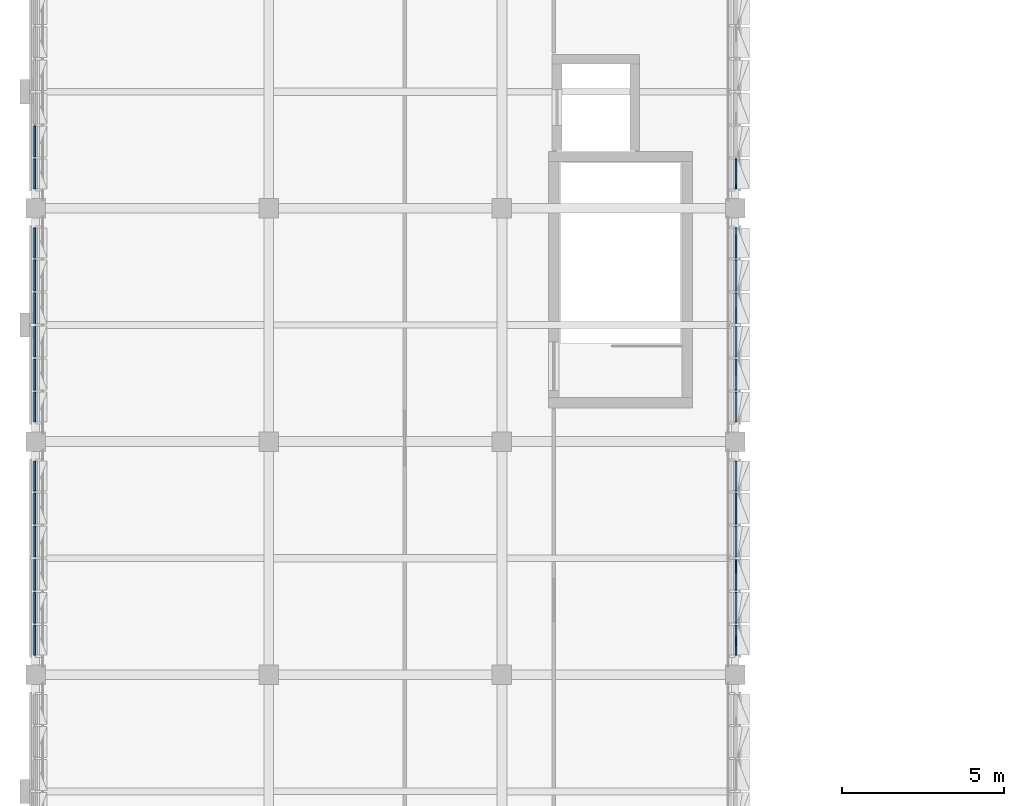
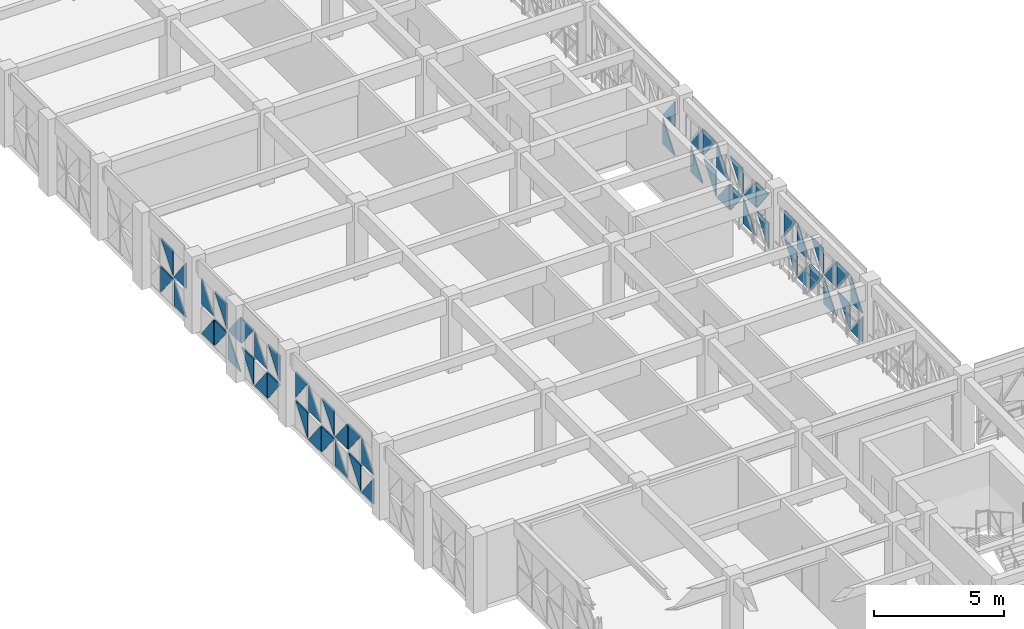
# One storey, part 33 of 74: 54 plates, 6 elements without a shape of their own.
"""IFC4 building model written with IfcOpenShell, lengths in metres."""

import ifcopenshell
import ifcopenshell.guid

model = None  # the IFC model being written
_history = None  # IfcOwnerHistory: only IFC2X3 demands one
_inside = {}  # id of a spatial element -> (the spatial element, [elements in it])
_under = {}  # id of a project, library or spatial element -> (it, [spatial elements below it])
_declared = {}  # id of a project -> (the project, [libraries it declares])
_typed = {}  # id of a type object -> (the type object, [elements of that type])
_made_of = {}  # id of a material, layer set ... -> (it, [elements and type objects made of it])


def new_model(schema):
    """Start an empty IFC model of exactly this schema.

    Asked for "IFC4X3", IfcOpenShell would pick the latest addendum, in which some entities
    have other attributes; the version numbers below select the first issue.
    IFC2X3 requires an IfcOwnerHistory on every rooted entity: one is made here for all.
    """
    global model, _history
    if schema == "IFC4X3":
        model = ifcopenshell.file(schema_version=(4, 3, 0, 0))
    else:
        model = ifcopenshell.file(schema=schema)
    _inside.clear()
    _under.clear()
    _declared.clear()
    _typed.clear()
    _made_of.clear()
    _history = None
    if model.schema == "IFC2X3":
        org = make("IfcOrganization", Name="unknown")
        user = make(
            "IfcPersonAndOrganization",
            ThePerson=make("IfcPerson", FamilyName="unknown"),
            TheOrganization=org,
        )
        app = make(
            "IfcApplication",
            ApplicationDeveloper=org,
            Version="unknown",
            ApplicationFullName="unknown",
            ApplicationIdentifier="unknown",
        )
        _history = make(
            "IfcOwnerHistory",
            OwningUser=user,
            OwningApplication=app,
            ChangeAction="ADDED",
            CreationDate=0,
        )
    return model


def make(cls, **values):
    """One entity of the class cls with the attributes given. An attribute that is None is left unset."""
    return model.create_entity(
        cls, **{name: value for name, value in values.items() if value is not None}
    )


def rooted(cls, **values):
    """An entity with a GlobalId (a new one), such as an element, a storey or a relation."""
    return make(cls, GlobalId=ifcopenshell.guid.new(), OwnerHistory=_history, **values)


def si_unit(unit_type, name, prefix=None):
    """IfcSIUnit, for example si_unit("LENGTHUNIT", "METRE", prefix="MILLI")."""
    return make("IfcSIUnit", UnitType=unit_type, Prefix=prefix, Name=name)


def assignment(units):
    """IfcUnitAssignment: the units of a project."""
    return None if units is None else make("IfcUnitAssignment", Units=units)


def point(xyz):
    """IfcCartesianPoint."""
    return None if xyz is None else make("IfcCartesianPoint", Coordinates=xyz)


def direction(xyz):
    """IfcDirection."""
    return None if xyz is None else make("IfcDirection", DirectionRatios=xyz)


def frame(location, z_axis=None, x_axis=None):
    """IfcAxis2Placement3D, a coordinate frame: its origin and axes. An axis left out is left unset."""
    return make(
        "IfcAxis2Placement3D",
        Location=point(location),
        Axis=direction(z_axis),
        RefDirection=direction(x_axis),
    )


def origin():
    """The frame at (0, 0, 0) with its axes left unset."""
    return frame((0.0, 0.0, 0.0))


def place(relative_to, where):
    """IfcLocalPlacement: puts the frame where relative to a parent placement (None: the world)."""
    return make(
        "IfcLocalPlacement", PlacementRelTo=relative_to, RelativePlacement=where
    )


def context(
    kind, dimensions, precision=None, world=None, true_north=None, identifier=None
):
    """IfcGeometricRepresentationContext, for example the 3D "Model" context."""
    return make(
        "IfcGeometricRepresentationContext",
        ContextIdentifier=identifier,
        ContextType=kind,
        CoordinateSpaceDimension=dimensions,
        Precision=precision,
        WorldCoordinateSystem=world,
        TrueNorth=true_north,
    )


def subcontext(parent, identifier, kind, view, scale=None):
    """IfcGeometricRepresentationSubContext, for example "Body" below "Model"."""
    return make(
        "IfcGeometricRepresentationSubContext",
        ContextIdentifier=identifier,
        ContextType=kind,
        ParentContext=parent,
        TargetScale=scale,
        TargetView=view,
    )


def project(units=None, contexts=None):
    """IfcProject with its units and contexts."""
    return rooted(
        "IfcProject",
        Name="project",
        RepresentationContexts=contexts,
        UnitsInContext=assignment(units),
    )


def spatial(cls, under=None, at=None, **own):
    """A site, building, storey or space (cls), placed at a placement, below another one or the project."""
    s = rooted(cls, ObjectPlacement=at, **own)
    if under is not None:
        _under.setdefault(under.id(), (under, []))[1].append(s)
    return s


def polyline(points):
    """IfcPolyline through the points."""
    return make("IfcPolyline", Points=[point(p) for p in points])


def outline(outer, holes=None, kind="AREA"):
    """IfcArbitraryClosedProfileDef: a profile drawn as a closed curve; with holes, ...WithVoids."""
    if holes is None:
        return make("IfcArbitraryClosedProfileDef", ProfileType=kind, OuterCurve=outer)
    return make(
        "IfcArbitraryProfileDefWithVoids",
        ProfileType=kind,
        OuterCurve=outer,
        InnerCurves=holes,
    )


def extrude(swept, where, along, depth):
    """IfcExtrudedAreaSolid: the profile swept, set in the frame where, extruded along a direction by depth."""
    return make(
        "IfcExtrudedAreaSolid",
        SweptArea=swept,
        Position=where,
        ExtrudedDirection=direction(along),
        Depth=depth,
    )


def shape(context_of_items, identifier, shape_type, items):
    """IfcShapeRepresentation: the items that make up one representation, for example the "Body"."""
    return make(
        "IfcShapeRepresentation",
        ContextOfItems=context_of_items,
        RepresentationIdentifier=identifier,
        RepresentationType=shape_type,
        Items=items,
    )


def material(Name=None, Category=None):
    """IfcMaterial."""
    return make("IfcMaterial", Name=Name, Category=Category)


def layer(
    of_material, thickness, ventilated=None, Name=None, Category=None, Priority=None
):
    """IfcMaterialLayer: one layer of a wall or slab, of a material (None: an air gap)."""
    return make(
        "IfcMaterialLayer",
        Material=of_material,
        LayerThickness=thickness,
        IsVentilated=ventilated,
        Name=Name,
        Category=Category,
        Priority=Priority,
    )


def layer_set(layers, Name=None):
    """IfcMaterialLayerSet."""
    return make("IfcMaterialLayerSet", MaterialLayers=layers, LayerSetName=Name)


def made_of(thing, what):
    """Note that an element or type object is made of a material, layer set ...; save() writes the relation."""
    if what is not None:
        _made_of.setdefault(what.id(), (what, []))[1].append(thing)
    return thing


def type_object(cls, material=None, **own):
    """A type object (cls), such as IfcWallType, which elements share."""
    return made_of(rooted(cls, **own), material)


def element(
    cls,
    number,
    at=None,
    inside=None,
    cuts=None,
    type_object=None,
    material=None,
    context=None,
    identifier="Body",
    shape_type=None,
    held_by="IfcProductDefinitionShape",
    body=None,
    shapes=None,
    **own,
):
    """One element of the class cls, such as IfcWall. Its Tag is "e" and its number.

    at: its placement. inside: the storey or other place that contains it. cuts: it is an
    opening in that element (IfcRelVoidsElement). A single representation is given by context,
    identifier, shape_type and body (its items); several are given by shapes. held_by: the class
    of the entity that holds the representations. save() writes the other relations.
    """
    e = rooted(cls, Tag="e%d" % number, ObjectPlacement=at, **own)
    if body is not None:
        shapes = [shape(context, identifier, shape_type, body)]
    if shapes is not None:
        e.Representation = make(held_by, Representations=shapes)
    if inside is not None:
        _inside.setdefault(inside.id(), (inside, []))[1].append(e)
    if cuts is not None:
        rooted(
            "IfcRelVoidsElement", RelatingBuildingElement=cuts, RelatedOpeningElement=e
        )
    if type_object is not None:
        _typed.setdefault(type_object.id(), (type_object, []))[1].append(e)
    return made_of(e, material)


def aggregate(whole, parts):
    """IfcRelAggregates: a whole, such as a stair, and the parts it consists of."""
    return rooted("IfcRelAggregates", RelatingObject=whole, RelatedObjects=parts)


def save(model, path):
    """Write the relations noted so far, then the file.

    IfcRelAggregates (storeys below a building ...), IfcRelContainedInSpatialStructure (elements
    in a storey), IfcRelDefinesByType, IfcRelAssociatesMaterial and IfcRelDeclares: one each for
    every whole, place, type object, material and project.
    """
    for whole, parts in _under.values():
        aggregate(whole, parts)
    for where, things in _inside.values():
        rooted(
            "IfcRelContainedInSpatialStructure",
            RelatedElements=things,
            RelatingStructure=where,
        )
    for kind, things in _typed.values():
        rooted("IfcRelDefinesByType", RelatedObjects=things, RelatingType=kind)
    for what, things in _made_of.values():
        rooted("IfcRelAssociatesMaterial", RelatedObjects=things, RelatingMaterial=what)
    for by, libraries in _declared.values():
        rooted("IfcRelDeclares", RelatingContext=by, RelatedDefinitions=libraries)
    model.write(path)


model = new_model("IFC4")

# Units and contexts
model_context = context("Model", 3, precision=1e-05, world=origin(), true_north=direction((0.0, 1.0)))
body_context = subcontext(model_context, "Body", "Model", "MODEL_VIEW")
ifc_project = project(units=[si_unit("LENGTHUNIT", "METRE"), si_unit("AREAUNIT", "SQUARE_METRE"), si_unit("VOLUMEUNIT", "CUBIC_METRE"), si_unit("PLANEANGLEUNIT", "RADIAN"), si_unit("MASSUNIT", "GRAM", prefix="KILO")], contexts=[model_context])

# Site, building, storey
site_placement = place(None, origin())
site = spatial("IfcSite", under=ifc_project, at=site_placement, CompositionType="ELEMENT")
building_placement = place(site_placement, origin())
building = spatial("IfcBuilding", under=site, at=building_placement, Name="Alvorim Cloister Faculty of Sciences", CompositionType="ELEMENT")
storey_placement = place(building_placement, frame((0.0, 0.0, 15.75)))
storey = spatial("IfcBuildingStorey", under=building, at=storey_placement, Name="L04", CompositionType="ELEMENT", Elevation=15.75)

# Curtain wall, plates
ifc_material_1 = material(Name="Aluminium and Low-E Glass Curtain Wall", Category="aluminium")
curtain_wall_type = type_object("IfcCurtainWallType", Name="CW-TRI-6120x2850", PredefinedType="USERDEFINED", material=ifc_material_1)
curtain_wall_1_placement = place(storey_placement, origin())
curtain_wall_1 = element("IfcCurtainWall", 1, at=curtain_wall_1_placement, inside=storey, type_object=curtain_wall_type, Name="L04 Diagonal Cassette Curtain Wall CW-0171", ObjectType="UNITISED CURTAIN WALL", PredefinedType="USERDEFINED")
ifc_material_2 = material(Name="Double Low-E Laminated Glass", Category="glass")
ifc_layer = layer(ifc_material_2, 0.0400390625)
ifc_layer_set = layer_set([ifc_layer], Name="Double Low-E Laminated Glass")
plate_type = type_object("IfcPlateType", Name="PN-GLZ-40", PredefinedType="CURTAIN_PANEL", material=ifc_layer_set)
plate_1_placement = place(storey_placement, frame((-0.02490234375, 64.205078125, 0.139892578125), z_axis=(0.0, 0.0, 1.0), x_axis=(0.0, 1.0, 0.0)))
plate_1 = element("IfcPlate", 2, at=plate_1_placement, type_object=plate_type, Name="Diagonal Glazed Triangle TRI-BL", PredefinedType="CURTAIN_PANEL", context=body_context, shape_type="SweptSolid", body=[
    extrude(outline(polyline([(0.0, 0.0), (0.920654296875, 0.0), (0.0, 1.213134765625), (0.0, 0.0)])), frame((0.0, 0.02490234375, 0.0), z_axis=(0.0, -1.0, 0.0), x_axis=(1.0, 0.0, 0.0)), (0.0, 0.0, 1.0), 0.050048828125),
])
plate_2_placement = place(storey_placement, frame((-0.02490234375, 64.205078125, 1.4951171875), z_axis=(0.0, 0.0, 1.0), x_axis=(0.0, 1.0, 0.0)))
plate_2 = element("IfcPlate", 3, at=plate_2_placement, type_object=plate_type, Name="Diagonal Glazed Triangle TRI-BR", PredefinedType="CURTAIN_PANEL", context=body_context, shape_type="SweptSolid", body=[
    extrude(outline(polyline([(0.001953125, 0.0), (0.922607421875, 0.0), (0.922607421875, 1.212890625), (0.001953125, 0.0)])), frame((0.0, 0.02490234375, 0.0), z_axis=(0.0, -1.0, 0.0), x_axis=(1.0, 0.0, 0.0)), (0.0, 0.0, 1.0), 0.050048828125),
])
plate_3_placement = place(storey_placement, frame((-0.02490234375, 65.1923828125, 0.139892578125), z_axis=(0.0, 0.0, 1.0), x_axis=(0.0, 1.0, 0.0)))
plate_3 = element("IfcPlate", 4, at=plate_3_placement, type_object=plate_type, Name="Diagonal Glazed Triangle TRI-TL", PredefinedType="CURTAIN_PANEL", context=body_context, shape_type="SweptSolid", body=[
    extrude(outline(polyline([(0.953125, 1.215087890625), (0.0, 1.215087890625), (0.0, 0.001953125), (0.953125, 1.215087890625)])), frame((0.0, 0.02490234375, 0.0), z_axis=(0.0, -1.0, 0.0), x_axis=(1.0, 0.0, 0.0)), (0.0, 0.0, 1.0), 0.050048828125),
])
plate_4_placement = place(storey_placement, frame((-0.02490234375, 65.1923828125, 1.4951171875), z_axis=(0.0, 0.0, 1.0), x_axis=(0.0, 1.0, 0.0)))
plate_4 = element("IfcPlate", 5, at=plate_4_placement, type_object=plate_type, Name="Diagonal Glazed Triangle TRI-TR", PredefinedType="CURTAIN_PANEL", context=body_context, shape_type="SweptSolid", body=[
    extrude(outline(polyline([(0.955078125, 0.001953125), (0.955078125, 1.21484375), (0.001953125, 1.21484375), (0.955078125, 0.001953125)])), frame((0.0, 0.02490234375, 0.0), z_axis=(0.0, -1.0, 0.0), x_axis=(1.0, 0.0, 0.0)), (0.0, 0.0, 1.0), 0.050048828125),
])
plate_5_placement = place(storey_placement, frame((-0.02490234375, 66.21240234375, 0.139892578125), z_axis=(0.0, 0.0, 1.0), x_axis=(0.0, 1.0, 0.0)))
plate_5 = element("IfcPlate", 6, at=plate_5_placement, type_object=plate_type, Name="Diagonal Glazed Triangle TRI-BR", PredefinedType="CURTAIN_PANEL", context=body_context, shape_type="SweptSolid", body=[
    extrude(outline(polyline([(0.001953125, 0.0), (0.955078125, 0.0), (0.955078125, 1.213134765625), (0.001953125, 0.0)])), frame((0.0, 0.02490234375, 0.0), z_axis=(0.0, -1.0, 0.0), x_axis=(1.0, 0.0, 0.0)), (0.0, 0.0, 1.0), 0.050048828125),
])
plate_6_placement = place(storey_placement, frame((-0.02490234375, 66.21240234375, 1.4951171875), z_axis=(0.0, 0.0, 1.0), x_axis=(0.0, 1.0, 0.0)))
plate_6 = element("IfcPlate", 7, at=plate_6_placement, type_object=plate_type, Name="Diagonal Glazed Triangle TRI-BL", PredefinedType="CURTAIN_PANEL", context=body_context, shape_type="SweptSolid", body=[
    extrude(outline(polyline([(0.0, 0.0), (0.953125, 0.0), (0.0, 1.212890625), (0.0, 0.0)])), frame((0.0, 0.02490234375, 0.0), z_axis=(0.0, -1.0, 0.0), x_axis=(1.0, 0.0, 0.0)), (0.0, 0.0, 1.0), 0.050048828125),
])
plate_7_placement = place(storey_placement, frame((-0.02490234375, 67.232421875, 0.139892578125), z_axis=(0.0, 0.0, 1.0), x_axis=(0.0, 1.0, 0.0)))
plate_7 = element("IfcPlate", 8, at=plate_7_placement, type_object=plate_type, Name="Diagonal Glazed Triangle TRI-TR", PredefinedType="CURTAIN_PANEL", context=body_context, shape_type="SweptSolid", body=[
    extrude(outline(polyline([(0.955078125, 0.001953125), (0.955078125, 1.215087890625), (0.001953125, 1.215087890625), (0.955078125, 0.001953125)])), frame((0.0, 0.02490234375, 0.0), z_axis=(0.0, -1.0, 0.0), x_axis=(1.0, 0.0, 0.0)), (0.0, 0.0, 1.0), 0.050048828125),
])
plate_8_placement = place(storey_placement, frame((-0.02490234375, 67.232421875, 1.4951171875), z_axis=(0.0, 0.0, 1.0), x_axis=(0.0, 1.0, 0.0)))
plate_8 = element("IfcPlate", 9, at=plate_8_placement, type_object=plate_type, Name="Diagonal Glazed Triangle TRI-TL", PredefinedType="CURTAIN_PANEL", context=body_context, shape_type="SweptSolid", body=[
    extrude(outline(polyline([(0.953125, 1.21484375), (0.0, 1.21484375), (0.0, 0.001953125), (0.953125, 1.21484375)])), frame((0.0, 0.02490234375, 0.0), z_axis=(0.0, -1.0, 0.0), x_axis=(1.0, 0.0, 0.0)), (0.0, 0.0, 1.0), 0.050048828125),
])
plate_9_placement = place(storey_placement, frame((-0.02490234375, 68.25244140625, 0.139892578125), z_axis=(0.0, 0.0, 1.0), x_axis=(0.0, 1.0, 0.0)))
plate_9 = element("IfcPlate", 10, at=plate_9_placement, type_object=plate_type, Name="Diagonal Glazed Triangle TRI-BL", PredefinedType="CURTAIN_PANEL", context=body_context, shape_type="SweptSolid", body=[
    extrude(outline(polyline([(0.0, 0.0), (0.953125, 0.0), (0.0, 1.213134765625), (0.0, 0.0)])), frame((0.0, 0.02490234375, 0.0), z_axis=(0.0, -1.0, 0.0), x_axis=(1.0, 0.0, 0.0)), (0.0, 0.0, 1.0), 0.050048828125),
])
plate_10_placement = place(storey_placement, frame((-0.02490234375, 68.25244140625, 1.4951171875), z_axis=(0.0, 0.0, 1.0), x_axis=(0.0, 1.0, 0.0)))
plate_10 = element("IfcPlate", 11, at=plate_10_placement, type_object=plate_type, Name="Diagonal Glazed Triangle TRI-BR", PredefinedType="CURTAIN_PANEL", context=body_context, shape_type="SweptSolid", body=[
    extrude(outline(polyline([(0.001953125, 0.0), (0.955078125, 0.0), (0.955078125, 1.212890625), (0.001953125, 0.0)])), frame((0.0, 0.02490234375, 0.0), z_axis=(0.0, -1.0, 0.0), x_axis=(1.0, 0.0, 0.0)), (0.0, 0.0, 1.0), 0.050048828125),
])
plate_11_placement = place(storey_placement, frame((-0.02490234375, 69.2724609375, 0.139892578125), z_axis=(0.0, 0.0, 1.0), x_axis=(0.0, 1.0, 0.0)))
plate_11 = element("IfcPlate", 12, at=plate_11_placement, type_object=plate_type, Name="Diagonal Glazed Triangle TRI-TL", PredefinedType="CURTAIN_PANEL", context=body_context, shape_type="SweptSolid", body=[
    extrude(outline(polyline([(0.920654296875, 1.215087890625), (0.0, 1.215087890625), (0.0, 0.001953125), (0.920654296875, 1.215087890625)])), frame((0.0, 0.02490234375, 0.0), z_axis=(0.0, -1.0, 0.0), x_axis=(1.0, 0.0, 0.0)), (0.0, 0.0, 1.0), 0.050048828125),
])
plate_12_placement = place(storey_placement, frame((-0.02490234375, 69.2724609375, 1.4951171875), z_axis=(0.0, 0.0, 1.0), x_axis=(0.0, 1.0, 0.0)))
plate_12 = element("IfcPlate", 13, at=plate_12_placement, type_object=plate_type, Name="Diagonal Glazed Triangle TRI-TR", PredefinedType="CURTAIN_PANEL", context=body_context, shape_type="SweptSolid", body=[
    extrude(outline(polyline([(0.922607421875, 0.001953125), (0.922607421875, 1.21484375), (0.001953125, 1.21484375), (0.922607421875, 0.001953125)])), frame((0.0, 0.02490234375, 0.0), z_axis=(0.0, -1.0, 0.0), x_axis=(1.0, 0.0, 0.0)), (0.0, 0.0, 1.0), 0.050048828125),
])
aggregate(curtain_wall_1, [plate_1, plate_2, plate_3, plate_4, plate_5, plate_6, plate_7, plate_8, plate_9, plate_10, plate_11, plate_12])

curtain_wall_2_placement = place(storey_placement, origin())
curtain_wall_2 = element("IfcCurtainWall", 14, at=curtain_wall_2_placement, inside=storey, type_object=curtain_wall_type, Name="L04 Diagonal Cassette Curtain Wall CW-0172", ObjectType="UNITISED CURTAIN WALL", PredefinedType="USERDEFINED")
plate_13_placement = place(storey_placement, frame((-0.02490234375, 71.405029296875, 0.139892578125), z_axis=(0.0, 0.0, 1.0), x_axis=(0.0, 1.0, 0.0)))
plate_13 = element("IfcPlate", 15, at=plate_13_placement, type_object=plate_type, Name="Diagonal Glazed Triangle TRI-TR", PredefinedType="CURTAIN_PANEL", context=body_context, shape_type="SweptSolid", body=[
    extrude(outline(polyline([(0.922607421875, 0.001953125), (0.922607421875, 1.215087890625), (0.001953125, 1.215087890625), (0.922607421875, 0.001953125)])), frame((0.0, 0.02490234375, 0.0), z_axis=(0.0, -1.0, 0.0), x_axis=(1.0, 0.0, 0.0)), (0.0, 0.0, 1.0), 0.050048828125),
])
plate_14_placement = place(storey_placement, frame((-0.02490234375, 71.405029296875, 1.4951171875), z_axis=(0.0, 0.0, 1.0), x_axis=(0.0, 1.0, 0.0)))
plate_14 = element("IfcPlate", 16, at=plate_14_placement, type_object=plate_type, Name="Diagonal Glazed Triangle TRI-TL", PredefinedType="CURTAIN_PANEL", context=body_context, shape_type="SweptSolid", body=[
    extrude(outline(polyline([(0.920654296875, 1.21484375), (0.0, 1.21484375), (0.0, 0.001953125), (0.920654296875, 1.21484375)])), frame((0.0, 0.02490234375, 0.0), z_axis=(0.0, -1.0, 0.0), x_axis=(1.0, 0.0, 0.0)), (0.0, 0.0, 1.0), 0.050048828125),
])
plate_15_placement = place(storey_placement, frame((-0.02490234375, 72.392578125, 0.139892578125), z_axis=(0.0, 0.0, 1.0), x_axis=(0.0, 1.0, 0.0)))
plate_15 = element("IfcPlate", 17, at=plate_15_placement, type_object=plate_type, Name="Diagonal Glazed Triangle TRI-BL", PredefinedType="CURTAIN_PANEL", context=body_context, shape_type="SweptSolid", body=[
    extrude(outline(polyline([(0.0, 0.0), (0.953125, 0.0), (0.0, 1.213134765625), (0.0, 0.0)])), frame((0.0, 0.02490234375, 0.0), z_axis=(0.0, -1.0, 0.0), x_axis=(1.0, 0.0, 0.0)), (0.0, 0.0, 1.0), 0.050048828125),
])
plate_16_placement = place(storey_placement, frame((-0.02490234375, 72.392578125, 1.4951171875), z_axis=(0.0, 0.0, 1.0), x_axis=(0.0, 1.0, 0.0)))
plate_16 = element("IfcPlate", 18, at=plate_16_placement, type_object=plate_type, Name="Diagonal Glazed Triangle TRI-BR", PredefinedType="CURTAIN_PANEL", context=body_context, shape_type="SweptSolid", body=[
    extrude(outline(polyline([(0.001953125, 0.0), (0.955078125, 0.0), (0.955078125, 1.212890625), (0.001953125, 0.0)])), frame((0.0, 0.02490234375, 0.0), z_axis=(0.0, -1.0, 0.0), x_axis=(1.0, 0.0, 0.0)), (0.0, 0.0, 1.0), 0.050048828125),
])
plate_17_placement = place(storey_placement, frame((-0.02490234375, 73.41259765625, 0.139892578125), z_axis=(0.0, 0.0, 1.0), x_axis=(0.0, 1.0, 0.0)))
plate_17 = element("IfcPlate", 19, at=plate_17_placement, type_object=plate_type, Name="Diagonal Glazed Triangle TRI-TL", PredefinedType="CURTAIN_PANEL", context=body_context, shape_type="SweptSolid", body=[
    extrude(outline(polyline([(0.953125, 1.215087890625), (0.0, 1.215087890625), (0.0, 0.001953125), (0.953125, 1.215087890625)])), frame((0.0, 0.02490234375, 0.0), z_axis=(0.0, -1.0, 0.0), x_axis=(1.0, 0.0, 0.0)), (0.0, 0.0, 1.0), 0.050048828125),
])
plate_18_placement = place(storey_placement, frame((-0.02490234375, 73.41259765625, 1.4951171875), z_axis=(0.0, 0.0, 1.0), x_axis=(0.0, 1.0, 0.0)))
plate_18 = element("IfcPlate", 20, at=plate_18_placement, type_object=plate_type, Name="Diagonal Glazed Triangle TRI-TR", PredefinedType="CURTAIN_PANEL", context=body_context, shape_type="SweptSolid", body=[
    extrude(outline(polyline([(0.955078125, 0.001953125), (0.955078125, 1.21484375), (0.001953125, 1.21484375), (0.955078125, 0.001953125)])), frame((0.0, 0.02490234375, 0.0), z_axis=(0.0, -1.0, 0.0), x_axis=(1.0, 0.0, 0.0)), (0.0, 0.0, 1.0), 0.050048828125),
])
plate_19_placement = place(storey_placement, frame((-0.02490234375, 74.4326171875, 0.139892578125), z_axis=(0.0, 0.0, 1.0), x_axis=(0.0, 1.0, 0.0)))
plate_19 = element("IfcPlate", 21, at=plate_19_placement, type_object=plate_type, Name="Diagonal Glazed Triangle TRI-BR", PredefinedType="CURTAIN_PANEL", context=body_context, shape_type="SweptSolid", body=[
    extrude(outline(polyline([(0.001953125, 0.0), (0.955078125, 0.0), (0.955078125, 1.213134765625), (0.001953125, 0.0)])), frame((0.0, 0.02490234375, 0.0), z_axis=(0.0, -1.0, 0.0), x_axis=(1.0, 0.0, 0.0)), (0.0, 0.0, 1.0), 0.050048828125),
])
plate_20_placement = place(storey_placement, frame((-0.02490234375, 74.4326171875, 1.4951171875), z_axis=(0.0, 0.0, 1.0), x_axis=(0.0, 1.0, 0.0)))
plate_20 = element("IfcPlate", 22, at=plate_20_placement, type_object=plate_type, Name="Diagonal Glazed Triangle TRI-BL", PredefinedType="CURTAIN_PANEL", context=body_context, shape_type="SweptSolid", body=[
    extrude(outline(polyline([(0.0, 0.0), (0.953125, 0.0), (0.0, 1.212890625), (0.0, 0.0)])), frame((0.0, 0.02490234375, 0.0), z_axis=(0.0, -1.0, 0.0), x_axis=(1.0, 0.0, 0.0)), (0.0, 0.0, 1.0), 0.050048828125),
])
plate_21_placement = place(storey_placement, frame((-0.02490234375, 75.452392578125, 0.139892578125), z_axis=(0.0, 0.0, 1.0), x_axis=(0.0, 1.0, 0.0)))
plate_21 = element("IfcPlate", 23, at=plate_21_placement, type_object=plate_type, Name="Diagonal Glazed Triangle TRI-TR", PredefinedType="CURTAIN_PANEL", context=body_context, shape_type="SweptSolid", body=[
    extrude(outline(polyline([(0.955078125, 0.001953125), (0.955078125, 1.215087890625), (0.001953125, 1.215087890625), (0.955078125, 0.001953125)])), frame((0.0, 0.02490234375, 0.0), z_axis=(0.0, -1.0, 0.0), x_axis=(1.0, 0.0, 0.0)), (0.0, 0.0, 1.0), 0.050048828125),
])
plate_22_placement = place(storey_placement, frame((-0.02490234375, 75.452392578125, 1.4951171875), z_axis=(0.0, 0.0, 1.0), x_axis=(0.0, 1.0, 0.0)))
plate_22 = element("IfcPlate", 24, at=plate_22_placement, type_object=plate_type, Name="Diagonal Glazed Triangle TRI-TL", PredefinedType="CURTAIN_PANEL", context=body_context, shape_type="SweptSolid", body=[
    extrude(outline(polyline([(0.953125, 1.21484375), (0.0, 1.21484375), (0.0, 0.001953125), (0.953125, 1.21484375)])), frame((0.0, 0.02490234375, 0.0), z_axis=(0.0, -1.0, 0.0), x_axis=(1.0, 0.0, 0.0)), (0.0, 0.0, 1.0), 0.050048828125),
])
plate_23_placement = place(storey_placement, frame((-0.02490234375, 76.472412109375, 0.139892578125), z_axis=(0.0, 0.0, 1.0), x_axis=(0.0, 1.0, 0.0)))
plate_23 = element("IfcPlate", 25, at=plate_23_placement, type_object=plate_type, Name="Diagonal Glazed Triangle TRI-BL", PredefinedType="CURTAIN_PANEL", context=body_context, shape_type="SweptSolid", body=[
    extrude(outline(polyline([(0.0, 0.0), (0.920654296875, 0.0), (0.0, 1.213134765625), (0.0, 0.0)])), frame((0.0, 0.02490234375, 0.0), z_axis=(0.0, -1.0, 0.0), x_axis=(1.0, 0.0, 0.0)), (0.0, 0.0, 1.0), 0.050048828125),
])
plate_24_placement = place(storey_placement, frame((-0.02490234375, 76.472412109375, 1.4951171875), z_axis=(0.0, 0.0, 1.0), x_axis=(0.0, 1.0, 0.0)))
plate_24 = element("IfcPlate", 26, at=plate_24_placement, type_object=plate_type, Name="Diagonal Glazed Triangle TRI-BR", PredefinedType="CURTAIN_PANEL", context=body_context, shape_type="SweptSolid", body=[
    extrude(outline(polyline([(0.001953125, 0.0), (0.922607421875, 0.0), (0.922607421875, 1.212890625), (0.001953125, 0.0)])), frame((0.0, 0.02490234375, 0.0), z_axis=(0.0, -1.0, 0.0), x_axis=(1.0, 0.0, 0.0)), (0.0, 0.0, 1.0), 0.050048828125),
])
aggregate(curtain_wall_2, [plate_13, plate_14, plate_15, plate_16, plate_17, plate_18, plate_19, plate_20, plate_21, plate_22, plate_23, plate_24])

curtain_wall_3_placement = place(storey_placement, origin())
curtain_wall_3 = element("IfcCurtainWall", 27, at=curtain_wall_3_placement, inside=storey, type_object=curtain_wall_type, Name="L04 Diagonal Cassette Curtain Wall CW-0173", ObjectType="UNITISED CURTAIN WALL", PredefinedType="USERDEFINED")
plate_25_placement = place(storey_placement, frame((-0.02490234375, 78.60498046875, 0.139892578125), z_axis=(0.0, 0.0, 1.0), x_axis=(0.0, 1.0, 0.0)))
plate_25 = element("IfcPlate", 28, at=plate_25_placement, type_object=plate_type, Name="Diagonal Glazed Triangle TRI-BR", PredefinedType="CURTAIN_PANEL", context=body_context, shape_type="SweptSolid", body=[
    extrude(outline(polyline([(0.001953125, 0.0), (0.922607421875, 0.0), (0.922607421875, 1.213134765625), (0.001953125, 0.0)])), frame((0.0, 0.02490234375, 0.0), z_axis=(0.0, -1.0, 0.0), x_axis=(1.0, 0.0, 0.0)), (0.0, 0.0, 1.0), 0.050048828125),
])
plate_26_placement = place(storey_placement, frame((-0.02490234375, 78.60498046875, 1.4951171875), z_axis=(0.0, 0.0, 1.0), x_axis=(0.0, 1.0, 0.0)))
plate_26 = element("IfcPlate", 29, at=plate_26_placement, type_object=plate_type, Name="Diagonal Glazed Triangle TRI-BL", PredefinedType="CURTAIN_PANEL", context=body_context, shape_type="SweptSolid", body=[
    extrude(outline(polyline([(0.0, 0.0), (0.920654296875, 0.0), (0.0, 1.212890625), (0.0, 0.0)])), frame((0.0, 0.02490234375, 0.0), z_axis=(0.0, -1.0, 0.0), x_axis=(1.0, 0.0, 0.0)), (0.0, 0.0, 1.0), 0.050048828125),
])
plate_27_placement = place(storey_placement, frame((-0.02490234375, 79.592529296875, 0.139892578125), z_axis=(0.0, 0.0, 1.0), x_axis=(0.0, 1.0, 0.0)))
plate_27 = element("IfcPlate", 30, at=plate_27_placement, type_object=plate_type, Name="Diagonal Glazed Triangle TRI-TR", PredefinedType="CURTAIN_PANEL", context=body_context, shape_type="SweptSolid", body=[
    extrude(outline(polyline([(0.955078125, 0.001953125), (0.955078125, 1.215087890625), (0.001953125, 1.215087890625), (0.955078125, 0.001953125)])), frame((0.0, 0.02490234375, 0.0), z_axis=(0.0, -1.0, 0.0), x_axis=(1.0, 0.0, 0.0)), (0.0, 0.0, 1.0), 0.050048828125),
])
plate_28_placement = place(storey_placement, frame((-0.02490234375, 79.592529296875, 1.4951171875), z_axis=(0.0, 0.0, 1.0), x_axis=(0.0, 1.0, 0.0)))
plate_28 = element("IfcPlate", 31, at=plate_28_placement, type_object=plate_type, Name="Diagonal Glazed Triangle TRI-TL", PredefinedType="CURTAIN_PANEL", context=body_context, shape_type="SweptSolid", body=[
    extrude(outline(polyline([(0.953125, 1.21484375), (0.0, 1.21484375), (0.0, 0.001953125), (0.953125, 1.21484375)])), frame((0.0, 0.02490234375, 0.0), z_axis=(0.0, -1.0, 0.0), x_axis=(1.0, 0.0, 0.0)), (0.0, 0.0, 1.0), 0.050048828125),
])
aggregate(curtain_wall_3, [plate_25, plate_26, plate_27, plate_28])

curtain_wall_4_placement = place(storey_placement, origin())
curtain_wall_4 = element("IfcCurtainWall", 32, at=curtain_wall_4_placement, inside=storey, type_object=curtain_wall_type, Name="L04 Diagonal Cassette Curtain Wall CW-0185", ObjectType="UNITISED CURTAIN WALL", PredefinedType="USERDEFINED")
plate_29_placement = place(storey_placement, frame((21.625, 78.60498046875, 0.139892578125), z_axis=(0.0, 0.0, 1.0), x_axis=(0.0, 1.0, 0.0)))
plate_29 = element("IfcPlate", 33, at=plate_29_placement, type_object=plate_type, Name="Diagonal Glazed Triangle TRI-BR", PredefinedType="CURTAIN_PANEL", context=body_context, shape_type="SweptSolid", body=[
    extrude(outline(polyline([(0.001953125, 0.0), (0.922607421875, 0.0), (0.922607421875, 1.213134765625), (0.001953125, 0.0)])), frame((0.0, 0.02490234375, 0.0), z_axis=(0.0, -1.0, 0.0), x_axis=(1.0, 0.0, 0.0)), (0.0, 0.0, 1.0), 0.050048828125),
])
plate_30_placement = place(storey_placement, frame((21.625, 78.60498046875, 1.4951171875), z_axis=(0.0, 0.0, 1.0), x_axis=(0.0, 1.0, 0.0)))
plate_30 = element("IfcPlate", 34, at=plate_30_placement, type_object=plate_type, Name="Diagonal Glazed Triangle TRI-BL", PredefinedType="CURTAIN_PANEL", context=body_context, shape_type="SweptSolid", body=[
    extrude(outline(polyline([(0.0, 0.0), (0.920654296875, 0.0), (0.0, 1.212890625), (0.0, 0.0)])), frame((0.0, 0.02490234375, 0.0), z_axis=(0.0, -1.0, 0.0), x_axis=(1.0, 0.0, 0.0)), (0.0, 0.0, 1.0), 0.050048828125),
])
aggregate(curtain_wall_4, [plate_29, plate_30])

curtain_wall_5_placement = place(storey_placement, origin())
curtain_wall_5 = element("IfcCurtainWall", 35, at=curtain_wall_5_placement, inside=storey, type_object=curtain_wall_type, Name="L04 Diagonal Cassette Curtain Wall CW-0186", ObjectType="UNITISED CURTAIN WALL", PredefinedType="USERDEFINED")
plate_31_placement = place(storey_placement, frame((21.625, 71.405029296875, 0.139892578125), z_axis=(0.0, 0.0, 1.0), x_axis=(0.0, 1.0, 0.0)))
plate_31 = element("IfcPlate", 36, at=plate_31_placement, type_object=plate_type, Name="Diagonal Glazed Triangle TRI-TL", PredefinedType="CURTAIN_PANEL", context=body_context, shape_type="SweptSolid", body=[
    extrude(outline(polyline([(0.920654296875, 1.215087890625), (0.0, 1.215087890625), (0.0, 0.001953125), (0.920654296875, 1.215087890625)])), frame((0.0, 0.02490234375, 0.0), z_axis=(0.0, -1.0, 0.0), x_axis=(1.0, 0.0, 0.0)), (0.0, 0.0, 1.0), 0.050048828125),
])
plate_32_placement = place(storey_placement, frame((21.625, 71.405029296875, 1.4951171875), z_axis=(0.0, 0.0, 1.0), x_axis=(0.0, 1.0, 0.0)))
plate_32 = element("IfcPlate", 37, at=plate_32_placement, type_object=plate_type, Name="Diagonal Glazed Triangle TRI-TR", PredefinedType="CURTAIN_PANEL", context=body_context, shape_type="SweptSolid", body=[
    extrude(outline(polyline([(0.922607421875, 0.001953125), (0.922607421875, 1.21484375), (0.001953125, 1.21484375), (0.922607421875, 0.001953125)])), frame((0.0, 0.02490234375, 0.0), z_axis=(0.0, -1.0, 0.0), x_axis=(1.0, 0.0, 0.0)), (0.0, 0.0, 1.0), 0.050048828125),
])
plate_33_placement = place(storey_placement, frame((21.625, 72.392578125, 0.139892578125), z_axis=(0.0, 0.0, 1.0), x_axis=(0.0, 1.0, 0.0)))
plate_33 = element("IfcPlate", 38, at=plate_33_placement, type_object=plate_type, Name="Diagonal Glazed Triangle TRI-BR", PredefinedType="CURTAIN_PANEL", context=body_context, shape_type="SweptSolid", body=[
    extrude(outline(polyline([(0.001953125, 0.0), (0.955078125, 0.0), (0.955078125, 1.213134765625), (0.001953125, 0.0)])), frame((0.0, 0.02490234375, 0.0), z_axis=(0.0, -1.0, 0.0), x_axis=(1.0, 0.0, 0.0)), (0.0, 0.0, 1.0), 0.050048828125),
])
plate_34_placement = place(storey_placement, frame((21.625, 72.392578125, 1.4951171875), z_axis=(0.0, 0.0, 1.0), x_axis=(0.0, 1.0, 0.0)))
plate_34 = element("IfcPlate", 39, at=plate_34_placement, type_object=plate_type, Name="Diagonal Glazed Triangle TRI-BL", PredefinedType="CURTAIN_PANEL", context=body_context, shape_type="SweptSolid", body=[
    extrude(outline(polyline([(0.0, 0.0), (0.953125, 0.0), (0.0, 1.212890625), (0.0, 0.0)])), frame((0.0, 0.02490234375, 0.0), z_axis=(0.0, -1.0, 0.0), x_axis=(1.0, 0.0, 0.0)), (0.0, 0.0, 1.0), 0.050048828125),
])
plate_35_placement = place(storey_placement, frame((21.625, 73.41259765625, 0.139892578125), z_axis=(0.0, 0.0, 1.0), x_axis=(0.0, 1.0, 0.0)))
plate_35 = element("IfcPlate", 40, at=plate_35_placement, type_object=plate_type, Name="Diagonal Glazed Triangle TRI-TR", PredefinedType="CURTAIN_PANEL", context=body_context, shape_type="SweptSolid", body=[
    extrude(outline(polyline([(0.955078125, 0.001953125), (0.955078125, 1.215087890625), (0.001953125, 1.215087890625), (0.955078125, 0.001953125)])), frame((0.0, 0.02490234375, 0.0), z_axis=(0.0, -1.0, 0.0), x_axis=(1.0, 0.0, 0.0)), (0.0, 0.0, 1.0), 0.050048828125),
])
plate_36_placement = place(storey_placement, frame((21.625, 73.41259765625, 1.4951171875), z_axis=(0.0, 0.0, 1.0), x_axis=(0.0, 1.0, 0.0)))
plate_36 = element("IfcPlate", 41, at=plate_36_placement, type_object=plate_type, Name="Diagonal Glazed Triangle TRI-TL", PredefinedType="CURTAIN_PANEL", context=body_context, shape_type="SweptSolid", body=[
    extrude(outline(polyline([(0.953125, 1.21484375), (0.0, 1.21484375), (0.0, 0.001953125), (0.953125, 1.21484375)])), frame((0.0, 0.02490234375, 0.0), z_axis=(0.0, -1.0, 0.0), x_axis=(1.0, 0.0, 0.0)), (0.0, 0.0, 1.0), 0.050048828125),
])
plate_37_placement = place(storey_placement, frame((21.625, 74.4326171875, 0.139892578125), z_axis=(0.0, 0.0, 1.0), x_axis=(0.0, 1.0, 0.0)))
plate_37 = element("IfcPlate", 42, at=plate_37_placement, type_object=plate_type, Name="Diagonal Glazed Triangle TRI-BL", PredefinedType="CURTAIN_PANEL", context=body_context, shape_type="SweptSolid", body=[
    extrude(outline(polyline([(0.0, 0.0), (0.953125, 0.0), (0.0, 1.213134765625), (0.0, 0.0)])), frame((0.0, 0.02490234375, 0.0), z_axis=(0.0, -1.0, 0.0), x_axis=(1.0, 0.0, 0.0)), (0.0, 0.0, 1.0), 0.050048828125),
])
plate_38_placement = place(storey_placement, frame((21.625, 74.4326171875, 1.4951171875), z_axis=(0.0, 0.0, 1.0), x_axis=(0.0, 1.0, 0.0)))
plate_38 = element("IfcPlate", 43, at=plate_38_placement, type_object=plate_type, Name="Diagonal Glazed Triangle TRI-BR", PredefinedType="CURTAIN_PANEL", context=body_context, shape_type="SweptSolid", body=[
    extrude(outline(polyline([(0.001953125, 0.0), (0.955078125, 0.0), (0.955078125, 1.212890625), (0.001953125, 0.0)])), frame((0.0, 0.02490234375, 0.0), z_axis=(0.0, -1.0, 0.0), x_axis=(1.0, 0.0, 0.0)), (0.0, 0.0, 1.0), 0.050048828125),
])
plate_39_placement = place(storey_placement, frame((21.625, 75.452392578125, 0.139892578125), z_axis=(0.0, 0.0, 1.0), x_axis=(0.0, 1.0, 0.0)))
plate_39 = element("IfcPlate", 44, at=plate_39_placement, type_object=plate_type, Name="Diagonal Glazed Triangle TRI-TL", PredefinedType="CURTAIN_PANEL", context=body_context, shape_type="SweptSolid", body=[
    extrude(outline(polyline([(0.953125, 1.215087890625), (0.0, 1.215087890625), (0.0, 0.001953125), (0.953125, 1.215087890625)])), frame((0.0, 0.02490234375, 0.0), z_axis=(0.0, -1.0, 0.0), x_axis=(1.0, 0.0, 0.0)), (0.0, 0.0, 1.0), 0.050048828125),
])
plate_40_placement = place(storey_placement, frame((21.625, 75.452392578125, 1.4951171875), z_axis=(0.0, 0.0, 1.0), x_axis=(0.0, 1.0, 0.0)))
plate_40 = element("IfcPlate", 45, at=plate_40_placement, type_object=plate_type, Name="Diagonal Glazed Triangle TRI-TR", PredefinedType="CURTAIN_PANEL", context=body_context, shape_type="SweptSolid", body=[
    extrude(outline(polyline([(0.955078125, 0.001953125), (0.955078125, 1.21484375), (0.001953125, 1.21484375), (0.955078125, 0.001953125)])), frame((0.0, 0.02490234375, 0.0), z_axis=(0.0, -1.0, 0.0), x_axis=(1.0, 0.0, 0.0)), (0.0, 0.0, 1.0), 0.050048828125),
])
plate_41_placement = place(storey_placement, frame((21.625, 76.472412109375, 0.139892578125), z_axis=(0.0, 0.0, 1.0), x_axis=(0.0, 1.0, 0.0)))
plate_41 = element("IfcPlate", 46, at=plate_41_placement, type_object=plate_type, Name="Diagonal Glazed Triangle TRI-BR", PredefinedType="CURTAIN_PANEL", context=body_context, shape_type="SweptSolid", body=[
    extrude(outline(polyline([(0.001953125, 0.0), (0.922607421875, 0.0), (0.922607421875, 1.213134765625), (0.001953125, 0.0)])), frame((0.0, 0.02490234375, 0.0), z_axis=(0.0, -1.0, 0.0), x_axis=(1.0, 0.0, 0.0)), (0.0, 0.0, 1.0), 0.050048828125),
])
plate_42_placement = place(storey_placement, frame((21.625, 76.472412109375, 1.4951171875), z_axis=(0.0, 0.0, 1.0), x_axis=(0.0, 1.0, 0.0)))
plate_42 = element("IfcPlate", 47, at=plate_42_placement, type_object=plate_type, Name="Diagonal Glazed Triangle TRI-BL", PredefinedType="CURTAIN_PANEL", context=body_context, shape_type="SweptSolid", body=[
    extrude(outline(polyline([(0.0, 0.0), (0.920654296875, 0.0), (0.0, 1.212890625), (0.0, 0.0)])), frame((0.0, 0.02490234375, 0.0), z_axis=(0.0, -1.0, 0.0), x_axis=(1.0, 0.0, 0.0)), (0.0, 0.0, 1.0), 0.050048828125),
])
aggregate(curtain_wall_5, [plate_31, plate_32, plate_33, plate_34, plate_35, plate_36, plate_37, plate_38, plate_39, plate_40, plate_41, plate_42])

curtain_wall_6_placement = place(storey_placement, origin())
curtain_wall_6 = element("IfcCurtainWall", 48, at=curtain_wall_6_placement, inside=storey, type_object=curtain_wall_type, Name="L04 Diagonal Cassette Curtain Wall CW-0187", ObjectType="UNITISED CURTAIN WALL", PredefinedType="USERDEFINED")
plate_43_placement = place(storey_placement, frame((21.625, 64.205078125, 0.139892578125), z_axis=(0.0, 0.0, 1.0), x_axis=(0.0, 1.0, 0.0)))
plate_43 = element("IfcPlate", 49, at=plate_43_placement, type_object=plate_type, Name="Diagonal Glazed Triangle TRI-BL", PredefinedType="CURTAIN_PANEL", context=body_context, shape_type="SweptSolid", body=[
    extrude(outline(polyline([(0.0, 0.0), (0.920654296875, 0.0), (0.0, 1.213134765625), (0.0, 0.0)])), frame((0.0, 0.02490234375, 0.0), z_axis=(0.0, -1.0, 0.0), x_axis=(1.0, 0.0, 0.0)), (0.0, 0.0, 1.0), 0.050048828125),
])
plate_44_placement = place(storey_placement, frame((21.625, 64.205078125, 1.4951171875), z_axis=(0.0, 0.0, 1.0), x_axis=(0.0, 1.0, 0.0)))
plate_44 = element("IfcPlate", 50, at=plate_44_placement, type_object=plate_type, Name="Diagonal Glazed Triangle TRI-BR", PredefinedType="CURTAIN_PANEL", context=body_context, shape_type="SweptSolid", body=[
    extrude(outline(polyline([(0.001953125, 0.0), (0.922607421875, 0.0), (0.922607421875, 1.212890625), (0.001953125, 0.0)])), frame((0.0, 0.02490234375, 0.0), z_axis=(0.0, -1.0, 0.0), x_axis=(1.0, 0.0, 0.0)), (0.0, 0.0, 1.0), 0.050048828125),
])
plate_45_placement = place(storey_placement, frame((21.625, 65.1923828125, 0.139892578125), z_axis=(0.0, 0.0, 1.0), x_axis=(0.0, 1.0, 0.0)))
plate_45 = element("IfcPlate", 51, at=plate_45_placement, type_object=plate_type, Name="Diagonal Glazed Triangle TRI-TL", PredefinedType="CURTAIN_PANEL", context=body_context, shape_type="SweptSolid", body=[
    extrude(outline(polyline([(0.953125, 1.215087890625), (0.0, 1.215087890625), (0.0, 0.001953125), (0.953125, 1.215087890625)])), frame((0.0, 0.02490234375, 0.0), z_axis=(0.0, -1.0, 0.0), x_axis=(1.0, 0.0, 0.0)), (0.0, 0.0, 1.0), 0.050048828125),
])
plate_46_placement = place(storey_placement, frame((21.625, 65.1923828125, 1.4951171875), z_axis=(0.0, 0.0, 1.0), x_axis=(0.0, 1.0, 0.0)))
plate_46 = element("IfcPlate", 52, at=plate_46_placement, type_object=plate_type, Name="Diagonal Glazed Triangle TRI-TR", PredefinedType="CURTAIN_PANEL", context=body_context, shape_type="SweptSolid", body=[
    extrude(outline(polyline([(0.955078125, 0.001953125), (0.955078125, 1.21484375), (0.001953125, 1.21484375), (0.955078125, 0.001953125)])), frame((0.0, 0.02490234375, 0.0), z_axis=(0.0, -1.0, 0.0), x_axis=(1.0, 0.0, 0.0)), (0.0, 0.0, 1.0), 0.050048828125),
])
plate_47_placement = place(storey_placement, frame((21.625, 66.21240234375, 0.139892578125), z_axis=(0.0, 0.0, 1.0), x_axis=(0.0, 1.0, 0.0)))
plate_47 = element("IfcPlate", 53, at=plate_47_placement, type_object=plate_type, Name="Diagonal Glazed Triangle TRI-BR", PredefinedType="CURTAIN_PANEL", context=body_context, shape_type="SweptSolid", body=[
    extrude(outline(polyline([(0.001953125, 0.0), (0.955078125, 0.0), (0.955078125, 1.213134765625), (0.001953125, 0.0)])), frame((0.0, 0.02490234375, 0.0), z_axis=(0.0, -1.0, 0.0), x_axis=(1.0, 0.0, 0.0)), (0.0, 0.0, 1.0), 0.050048828125),
])
plate_48_placement = place(storey_placement, frame((21.625, 66.21240234375, 1.4951171875), z_axis=(0.0, 0.0, 1.0), x_axis=(0.0, 1.0, 0.0)))
plate_48 = element("IfcPlate", 54, at=plate_48_placement, type_object=plate_type, Name="Diagonal Glazed Triangle TRI-BL", PredefinedType="CURTAIN_PANEL", context=body_context, shape_type="SweptSolid", body=[
    extrude(outline(polyline([(0.0, 0.0), (0.953125, 0.0), (0.0, 1.212890625), (0.0, 0.0)])), frame((0.0, 0.02490234375, 0.0), z_axis=(0.0, -1.0, 0.0), x_axis=(1.0, 0.0, 0.0)), (0.0, 0.0, 1.0), 0.050048828125),
])
plate_49_placement = place(storey_placement, frame((21.625, 67.232421875, 0.139892578125), z_axis=(0.0, 0.0, 1.0), x_axis=(0.0, 1.0, 0.0)))
plate_49 = element("IfcPlate", 55, at=plate_49_placement, type_object=plate_type, Name="Diagonal Glazed Triangle TRI-TR", PredefinedType="CURTAIN_PANEL", context=body_context, shape_type="SweptSolid", body=[
    extrude(outline(polyline([(0.955078125, 0.001953125), (0.955078125, 1.215087890625), (0.001953125, 1.215087890625), (0.955078125, 0.001953125)])), frame((0.0, 0.02490234375, 0.0), z_axis=(0.0, -1.0, 0.0), x_axis=(1.0, 0.0, 0.0)), (0.0, 0.0, 1.0), 0.050048828125),
])
plate_50_placement = place(storey_placement, frame((21.625, 67.232421875, 1.4951171875), z_axis=(0.0, 0.0, 1.0), x_axis=(0.0, 1.0, 0.0)))
plate_50 = element("IfcPlate", 56, at=plate_50_placement, type_object=plate_type, Name="Diagonal Glazed Triangle TRI-TL", PredefinedType="CURTAIN_PANEL", context=body_context, shape_type="SweptSolid", body=[
    extrude(outline(polyline([(0.953125, 1.21484375), (0.0, 1.21484375), (0.0, 0.001953125), (0.953125, 1.21484375)])), frame((0.0, 0.02490234375, 0.0), z_axis=(0.0, -1.0, 0.0), x_axis=(1.0, 0.0, 0.0)), (0.0, 0.0, 1.0), 0.050048828125),
])
plate_51_placement = place(storey_placement, frame((21.625, 68.25244140625, 0.139892578125), z_axis=(0.0, 0.0, 1.0), x_axis=(0.0, 1.0, 0.0)))
plate_51 = element("IfcPlate", 57, at=plate_51_placement, type_object=plate_type, Name="Diagonal Glazed Triangle TRI-BL", PredefinedType="CURTAIN_PANEL", context=body_context, shape_type="SweptSolid", body=[
    extrude(outline(polyline([(0.0, 0.0), (0.953125, 0.0), (0.0, 1.213134765625), (0.0, 0.0)])), frame((0.0, 0.02490234375, 0.0), z_axis=(0.0, -1.0, 0.0), x_axis=(1.0, 0.0, 0.0)), (0.0, 0.0, 1.0), 0.050048828125),
])
plate_52_placement = place(storey_placement, frame((21.625, 68.25244140625, 1.4951171875), z_axis=(0.0, 0.0, 1.0), x_axis=(0.0, 1.0, 0.0)))
plate_52 = element("IfcPlate", 58, at=plate_52_placement, type_object=plate_type, Name="Diagonal Glazed Triangle TRI-BR", PredefinedType="CURTAIN_PANEL", context=body_context, shape_type="SweptSolid", body=[
    extrude(outline(polyline([(0.001953125, 0.0), (0.955078125, 0.0), (0.955078125, 1.212890625), (0.001953125, 0.0)])), frame((0.0, 0.02490234375, 0.0), z_axis=(0.0, -1.0, 0.0), x_axis=(1.0, 0.0, 0.0)), (0.0, 0.0, 1.0), 0.050048828125),
])
plate_53_placement = place(storey_placement, frame((21.625, 69.2724609375, 0.139892578125), z_axis=(0.0, 0.0, 1.0), x_axis=(0.0, 1.0, 0.0)))
plate_53 = element("IfcPlate", 59, at=plate_53_placement, type_object=plate_type, Name="Diagonal Glazed Triangle TRI-TL", PredefinedType="CURTAIN_PANEL", context=body_context, shape_type="SweptSolid", body=[
    extrude(outline(polyline([(0.920654296875, 1.215087890625), (0.0, 1.215087890625), (0.0, 0.001953125), (0.920654296875, 1.215087890625)])), frame((0.0, 0.02490234375, 0.0), z_axis=(0.0, -1.0, 0.0), x_axis=(1.0, 0.0, 0.0)), (0.0, 0.0, 1.0), 0.050048828125),
])
plate_54_placement = place(storey_placement, frame((21.625, 69.2724609375, 1.4951171875), z_axis=(0.0, 0.0, 1.0), x_axis=(0.0, 1.0, 0.0)))
plate_54 = element("IfcPlate", 60, at=plate_54_placement, type_object=plate_type, Name="Diagonal Glazed Triangle TRI-TR", PredefinedType="CURTAIN_PANEL", context=body_context, shape_type="SweptSolid", body=[
    extrude(outline(polyline([(0.922607421875, 0.001953125), (0.922607421875, 1.21484375), (0.001953125, 1.21484375), (0.922607421875, 0.001953125)])), frame((0.0, 0.02490234375, 0.0), z_axis=(0.0, -1.0, 0.0), x_axis=(1.0, 0.0, 0.0)), (0.0, 0.0, 1.0), 0.050048828125),
])
aggregate(curtain_wall_6, [plate_43, plate_44, plate_45, plate_46, plate_47, plate_48, plate_49, plate_50, plate_51, plate_52, plate_53, plate_54])

save(model, "model.ifc")
